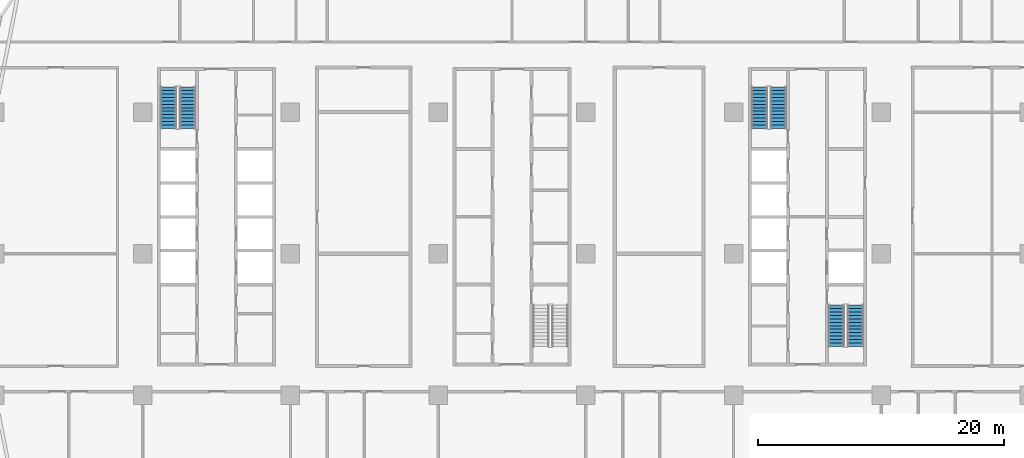
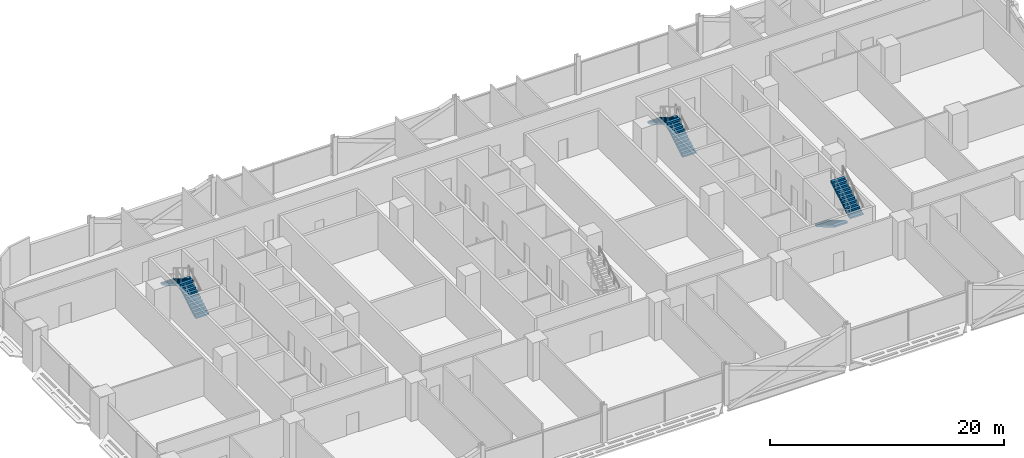
# One storey, part 18 of 29: 6 stair flights, 3 elements without a shape of their own.
"""IFC4 building model written with IfcOpenShell, lengths in metres."""

from ifc_helpers import new_model, si_unit, direction, frame, origin, place, context, subcontext, project, spatial, polyline, outline, extrude, material, type_object, element, aggregate, save


model = new_model("IFC4")

# Units and contexts
model_context = context("Model", 3, precision=1e-05, world=origin(), true_north=direction((0.0, 1.0)))
body_context = subcontext(model_context, "Body", "Model", "MODEL_VIEW")
ifc_project = project(units=[si_unit("LENGTHUNIT", "METRE"), si_unit("AREAUNIT", "SQUARE_METRE"), si_unit("VOLUMEUNIT", "CUBIC_METRE"), si_unit("PLANEANGLEUNIT", "RADIAN"), si_unit("MASSUNIT", "GRAM", prefix="KILO")], contexts=[model_context])

# Site, building, storey
site_placement = place(None, origin())
site = spatial("IfcSite", under=ifc_project, at=site_placement, CompositionType="ELEMENT")
building_placement = place(site_placement, origin())
building = spatial("IfcBuilding", under=site, at=building_placement, Name="Mahtab Terrace Research Tower", CompositionType="ELEMENT")
storey_placement = place(building_placement, frame((0.0, 0.0, 67.5)))
storey = spatial("IfcBuildingStorey", under=building, at=storey_placement, Name="L15", CompositionType="ELEMENT", Elevation=67.5)

# Stair, stair flights
ifc_material_1 = material(Name="Exit stair half-turn")
stair_type = type_object("IfcStairType", Name="Exit stair half-turn", PredefinedType="HALF_TURN_STAIR", material=ifc_material_1)
stair_1_placement = place(storey_placement, origin())
stair_1 = element("IfcStair", 1, at=stair_1_placement, inside=storey, type_object=stair_type, Name="L15 Protected exit stair ST1", PredefinedType="HALF_TURN_STAIR")
ifc_material_2 = material(Name="Concrete C40/50", Category="concrete")
stair_flight_type = type_object("IfcStairFlightType", Name="Exit stair flight 1300", PredefinedType="STRAIGHT", material=ifc_material_2)
stair_flight_1_placement = place(storey_placement, frame((-26.35009765625, 10.175048828125, 0.0), z_axis=(0.0, 0.0, 1.0), x_axis=(0.0, 1.0, 0.0)))
stair_flight_1 = element("IfcStairFlight", 2, at=stair_flight_1_placement, type_object=stair_flight_type, Name="ST1 flight 1", NumberOfRisers=13, NumberOfTreads=12, PredefinedType="STRAIGHT", RiserHeight=0.165384615, TreadLength=0.28, context=body_context, shape_type="SweptSolid", body=[
    extrude(outline(polyline([(0.0, 0.0), (0.0, 0.165283203125), (0.280029296875, 0.165283203125), (0.280029296875, 0.330810546875), (0.56005859375, 0.330810546875), (0.56005859375, 0.49609375), (0.840087890625, 0.49609375), (0.840087890625, 0.66162109375), (1.1201171875, 0.66162109375), (1.1201171875, 0.826904296875), (1.39990234375, 0.826904296875), (1.39990234375, 0.9921875), (1.679931640625, 0.9921875), (1.679931640625, 1.15771484375), (1.9599609375, 1.15771484375), (1.9599609375, 1.322998046875), (2.239990234375, 1.322998046875), (2.239990234375, 1.488525390625), (2.52001953125, 1.488525390625), (2.52001953125, 1.65380859375), (2.800048828125, 1.65380859375), (2.800048828125, 1.8193359375), (3.080078125, 1.8193359375), (3.080078125, 1.984619140625), (3.360107421875, 1.984619140625), (3.360107421875, 2.14990234375), (3.360107421875, 1.810546875), (0.294677734375, 0.0), (0.0, 0.0)])), frame((0.0, 0.64990234375, 0.0), z_axis=(0.0, -1.0, 0.0), x_axis=(1.0, 0.0, 0.0)), (0.0, 0.0, 1.0), 1.300048828125),
])
stair_flight_2_placement = place(storey_placement, frame((-27.89990234375, 13.534912109375, 2.14990234375), z_axis=(0.0, 0.0, 1.0), x_axis=(0.0, -1.0, 0.0)))
stair_flight_2 = element("IfcStairFlight", 3, at=stair_flight_2_placement, type_object=stair_flight_type, Name="ST1 flight 2", NumberOfRisers=13, NumberOfTreads=12, PredefinedType="STRAIGHT", RiserHeight=0.165384615, TreadLength=0.28, context=body_context, shape_type="SweptSolid", body=[
    extrude(outline(polyline([(0.0, 0.0), (0.0, 0.165283203125), (0.280029296875, 0.165283203125), (0.280029296875, 0.330810546875), (0.56005859375, 0.330810546875), (0.56005859375, 0.49609375), (0.840087890625, 0.49609375), (0.840087890625, 0.66162109375), (1.1201171875, 0.66162109375), (1.1201171875, 0.826904296875), (1.39990234375, 0.826904296875), (1.39990234375, 0.9921875), (1.679931640625, 0.9921875), (1.679931640625, 1.15771484375), (1.9599609375, 1.15771484375), (1.9599609375, 1.322998046875), (2.239990234375, 1.322998046875), (2.239990234375, 1.488525390625), (2.52001953125, 1.488525390625), (2.52001953125, 1.65380859375), (2.800048828125, 1.65380859375), (2.800048828125, 1.8193359375), (3.080078125, 1.8193359375), (3.080078125, 1.984619140625), (3.360107421875, 1.984619140625), (3.360107421875, 2.14990234375), (3.360107421875, 1.810546875), (0.294677734375, 0.0), (0.0, 0.0)])), frame((0.0, 0.64990234375, 0.0), z_axis=(0.0, -1.0, 0.0), x_axis=(1.0, 0.0, 0.0)), (0.0, 0.0, 1.0), 1.300048828125),
])
aggregate(stair_1, [stair_flight_1, stair_flight_2])

stair_2_placement = place(storey_placement, origin())
stair_2 = element("IfcStair", 4, at=stair_2_placement, inside=storey, type_object=stair_type, Name="L15 Protected exit stair ST3", PredefinedType="HALF_TURN_STAIR")
stair_flight_3_placement = place(storey_placement, frame((21.64990234375, 10.175048828125, 0.0), z_axis=(0.0, 0.0, 1.0), x_axis=(0.0, 1.0, 0.0)))
stair_flight_3 = element("IfcStairFlight", 5, at=stair_flight_3_placement, type_object=stair_flight_type, Name="ST3 flight 1", NumberOfRisers=13, NumberOfTreads=12, PredefinedType="STRAIGHT", RiserHeight=0.165384615, TreadLength=0.28, context=body_context, shape_type="SweptSolid", body=[
    extrude(outline(polyline([(0.0, 0.0), (0.0, 0.165283203125), (0.280029296875, 0.165283203125), (0.280029296875, 0.330810546875), (0.56005859375, 0.330810546875), (0.56005859375, 0.49609375), (0.840087890625, 0.49609375), (0.840087890625, 0.66162109375), (1.1201171875, 0.66162109375), (1.1201171875, 0.826904296875), (1.39990234375, 0.826904296875), (1.39990234375, 0.9921875), (1.679931640625, 0.9921875), (1.679931640625, 1.15771484375), (1.9599609375, 1.15771484375), (1.9599609375, 1.322998046875), (2.239990234375, 1.322998046875), (2.239990234375, 1.488525390625), (2.52001953125, 1.488525390625), (2.52001953125, 1.65380859375), (2.800048828125, 1.65380859375), (2.800048828125, 1.8193359375), (3.080078125, 1.8193359375), (3.080078125, 1.984619140625), (3.360107421875, 1.984619140625), (3.360107421875, 2.14990234375), (3.360107421875, 1.810546875), (0.294677734375, 0.0), (0.0, 0.0)])), frame((0.0, 0.64990234375, 0.0), z_axis=(0.0, -1.0, 0.0), x_axis=(1.0, 0.0, 0.0)), (0.0, 0.0, 1.0), 1.300048828125),
])
stair_flight_4_placement = place(storey_placement, frame((20.10009765625, 13.534912109375, 2.14990234375), z_axis=(0.0, 0.0, 1.0), x_axis=(0.0, -1.0, 0.0)))
stair_flight_4 = element("IfcStairFlight", 6, at=stair_flight_4_placement, type_object=stair_flight_type, Name="ST3 flight 2", NumberOfRisers=13, NumberOfTreads=12, PredefinedType="STRAIGHT", RiserHeight=0.165384615, TreadLength=0.28, context=body_context, shape_type="SweptSolid", body=[
    extrude(outline(polyline([(0.0, 0.0), (0.0, 0.165283203125), (0.280029296875, 0.165283203125), (0.280029296875, 0.330810546875), (0.56005859375, 0.330810546875), (0.56005859375, 0.49609375), (0.840087890625, 0.49609375), (0.840087890625, 0.66162109375), (1.1201171875, 0.66162109375), (1.1201171875, 0.826904296875), (1.39990234375, 0.826904296875), (1.39990234375, 0.9921875), (1.679931640625, 0.9921875), (1.679931640625, 1.15771484375), (1.9599609375, 1.15771484375), (1.9599609375, 1.322998046875), (2.239990234375, 1.322998046875), (2.239990234375, 1.488525390625), (2.52001953125, 1.488525390625), (2.52001953125, 1.65380859375), (2.800048828125, 1.65380859375), (2.800048828125, 1.8193359375), (3.080078125, 1.8193359375), (3.080078125, 1.984619140625), (3.360107421875, 1.984619140625), (3.360107421875, 2.14990234375), (3.360107421875, 1.810546875), (0.294677734375, 0.0), (0.0, 0.0)])), frame((0.0, 0.64990234375, 0.0), z_axis=(0.0, -1.0, 0.0), x_axis=(1.0, 0.0, 0.0)), (0.0, 0.0, 1.0), 1.300048828125),
])
aggregate(stair_2, [stair_flight_3, stair_flight_4])

stair_3_placement = place(storey_placement, origin())
stair_3 = element("IfcStair", 7, at=stair_3_placement, inside=storey, type_object=stair_type, Name="L15 Protected exit stair ST4", PredefinedType="HALF_TURN_STAIR")
stair_flight_5_placement = place(storey_placement, frame((26.35009765625, -4.175048828125, 0.0), z_axis=(0.0, 0.0, 1.0), x_axis=(0.0, -1.0, 0.0)))
stair_flight_5 = element("IfcStairFlight", 8, at=stair_flight_5_placement, type_object=stair_flight_type, Name="ST4 flight 1", NumberOfRisers=13, NumberOfTreads=12, PredefinedType="STRAIGHT", RiserHeight=0.165384615, TreadLength=0.28, context=body_context, shape_type="SweptSolid", body=[
    extrude(outline(polyline([(0.0, 0.0), (0.0, 0.165283203125), (0.280029296875, 0.165283203125), (0.280029296875, 0.330810546875), (0.56005859375, 0.330810546875), (0.56005859375, 0.49609375), (0.840087890625, 0.49609375), (0.840087890625, 0.66162109375), (1.1201171875, 0.66162109375), (1.1201171875, 0.826904296875), (1.39990234375, 0.826904296875), (1.39990234375, 0.9921875), (1.679931640625, 0.9921875), (1.679931640625, 1.15771484375), (1.9599609375, 1.15771484375), (1.9599609375, 1.322998046875), (2.239990234375, 1.322998046875), (2.239990234375, 1.488525390625), (2.52001953125, 1.488525390625), (2.52001953125, 1.65380859375), (2.800048828125, 1.65380859375), (2.800048828125, 1.8193359375), (3.080078125, 1.8193359375), (3.080078125, 1.984619140625), (3.360107421875, 1.984619140625), (3.360107421875, 2.14990234375), (3.360107421875, 1.810546875), (0.294677734375, 0.0), (0.0, 0.0)])), frame((0.0, 0.64990234375, 0.0), z_axis=(0.0, -1.0, 0.0), x_axis=(1.0, 0.0, 0.0)), (0.0, 0.0, 1.0), 1.300048828125),
])
stair_flight_6_placement = place(storey_placement, frame((27.89990234375, -7.534912109375, 2.14990234375), z_axis=(0.0, 0.0, 1.0), x_axis=(0.0, 1.0, 0.0)))
stair_flight_6 = element("IfcStairFlight", 9, at=stair_flight_6_placement, type_object=stair_flight_type, Name="ST4 flight 2", NumberOfRisers=13, NumberOfTreads=12, PredefinedType="STRAIGHT", RiserHeight=0.165384615, TreadLength=0.28, context=body_context, shape_type="SweptSolid", body=[
    extrude(outline(polyline([(0.0, 0.0), (0.0, 0.165283203125), (0.280029296875, 0.165283203125), (0.280029296875, 0.330810546875), (0.56005859375, 0.330810546875), (0.56005859375, 0.49609375), (0.840087890625, 0.49609375), (0.840087890625, 0.66162109375), (1.1201171875, 0.66162109375), (1.1201171875, 0.826904296875), (1.39990234375, 0.826904296875), (1.39990234375, 0.9921875), (1.679931640625, 0.9921875), (1.679931640625, 1.15771484375), (1.9599609375, 1.15771484375), (1.9599609375, 1.322998046875), (2.239990234375, 1.322998046875), (2.239990234375, 1.488525390625), (2.52001953125, 1.488525390625), (2.52001953125, 1.65380859375), (2.800048828125, 1.65380859375), (2.800048828125, 1.8193359375), (3.080078125, 1.8193359375), (3.080078125, 1.984619140625), (3.360107421875, 1.984619140625), (3.360107421875, 2.14990234375), (3.360107421875, 1.810546875), (0.294677734375, 0.0), (0.0, 0.0)])), frame((0.0, 0.64990234375, 0.0), z_axis=(0.0, -1.0, 0.0), x_axis=(1.0, 0.0, 0.0)), (0.0, 0.0, 1.0), 1.300048828125),
])
aggregate(stair_3, [stair_flight_5, stair_flight_6])

save(model, "model.ifc")
